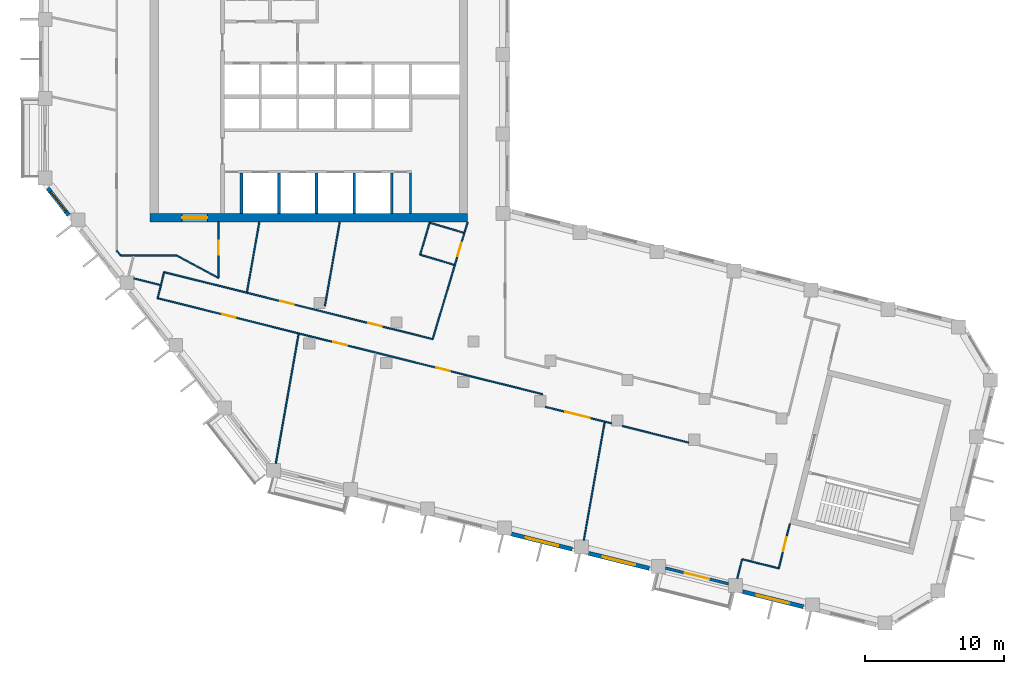
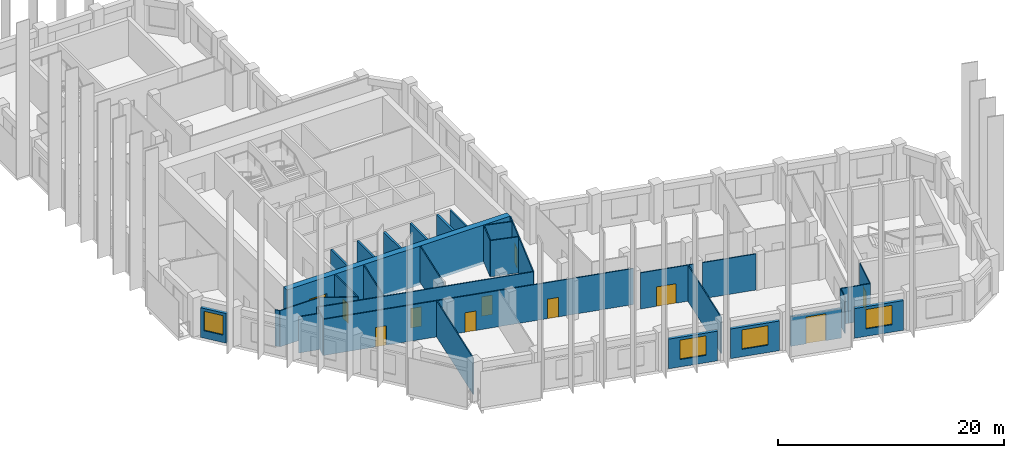
# One storey, part 3 of 9: 34 walls, 11 doors, 4 windows, 15 openings.
"""IFC4 building model written with IfcOpenShell, lengths in metres."""

from ifc_helpers import new_model, si_unit, direction, frame, frame_2d, origin, place, context, subcontext, project, spatial, rectangle, extrude, material, layer, layer_set, type_object, element, fill, save


model = new_model("IFC4")

# Units and contexts
model_context = context("Model", 3, precision=1e-05, world=origin(), true_north=direction((0.0, 1.0)))
body_context = subcontext(model_context, "Body", "Model", "MODEL_VIEW")
ifc_project = project(units=[si_unit("LENGTHUNIT", "METRE"), si_unit("AREAUNIT", "SQUARE_METRE"), si_unit("VOLUMEUNIT", "CUBIC_METRE"), si_unit("PLANEANGLEUNIT", "RADIAN"), si_unit("MASSUNIT", "GRAM", prefix="KILO")], contexts=[model_context])

# Site, building, storey
site_placement = place(None, origin())
site = spatial("IfcSite", under=ifc_project, at=site_placement, CompositionType="ELEMENT")
building_placement = place(site_placement, origin())
building = spatial("IfcBuilding", under=site, at=building_placement, Name="Meshkara Civic Tower", CompositionType="ELEMENT")
storey_placement = place(building_placement, frame((0.0, 0.0, 289.800048828125)))
storey = spatial("IfcBuildingStorey", under=building, at=storey_placement, Name="L66", CompositionType="ELEMENT", Elevation=289.800048828125)

# Wall
ifc_material_1 = material(Name="Blockwork", Category="masonry")
ifc_layer_1 = layer(ifc_material_1, 0.14990234375)
ifc_layer_set_1 = layer_set([ifc_layer_1], Name="Core partition 150")
wall_type_1 = type_object("IfcWallType", Name="Core partition 150", PredefinedType="PARTITIONING", material=ifc_layer_set_1)
wall_1_placement = place(storey_placement, frame((26.699951171875, 14.699951171875, 0.0), z_axis=(0.0, 0.0, 1.0), x_axis=(0.0, 1.0, 0.0)))
element("IfcWall", 1, at=wall_1_placement, inside=storey, type_object=wall_type_1, Name="L66-C024", PredefinedType="PARTITIONING", context=body_context, shape_type="SweptSolid", body=[
    extrude(rectangle(XDim=2.900146484375, YDim=0.14990234375, at=frame_2d((1.4501953125, 0.0))), origin(), (0.0, 0.0, 1.0), 3.89990234375),
])

# Wall, opening, door
ifc_material_2 = material(Name="Concrete C60", Category="concrete")
ifc_layer_2 = layer(ifc_material_2, 0.60009765625)
ifc_layer_set_2 = layer_set([ifc_layer_2], Name="Core ring wall 600 C60")
wall_type_2 = type_object("IfcWallType", Name="Core ring wall 600 C60", PredefinedType="SHEAR", material=ifc_layer_set_2)
wall_2_placement = place(storey_placement, frame((8.0, 14.39990234375, -0.300048828125), z_axis=(0.0, 0.0, 1.0), x_axis=(1.0, 0.0, 0.0)))
wall_2 = element("IfcWall", 2, at=wall_2_placement, inside=storey, type_object=wall_type_2, Name="L66-C001", PredefinedType="SHEAR", context=body_context, shape_type="SweptSolid", body=[
    extrude(rectangle(XDim=22.800048828125, YDim=0.60009765625, at=frame_2d((11.39990234375, 0.0))), origin(), (0.0, 0.0, 1.0), 4.199951171875),
])
opening_1_placement = place(wall_2_placement, frame((2.300048828125, 0.0, 0.300048828125)))
opening_1 = element("IfcOpeningElement", 3, at=opening_1_placement, cuts=wall_2, Name="Opening L66-K019", PredefinedType="OPENING", context=body_context, shape_type="SweptSolid", body=[
    extrude(rectangle(XDim=1.800048828125, YDim=2.10009765625, at=frame_2d((0.89990234375, 1.050048828125))), frame((0.0, 0.31005859375, 0.0), z_axis=(0.0, -1.0, 0.0), x_axis=(1.0, 0.0, 0.0)), (0.0, 0.0, 1.0), 0.6201171875),
])
ifc_material_3 = material(Name="Fire-rated door leaf in steel frame", Category="steel")
door_type_1 = type_object("IfcDoorType", Name="Core double door 1800 EI 60", OperationType="DOUBLE_DOOR_SINGLE_SWING", PredefinedType="DOOR", material=ifc_material_3)
door_1_placement = place(opening_1_placement, origin())
door_1 = element("IfcDoor", 4, at=door_1_placement, inside=storey, type_object=door_type_1, Name="L66-K019", OperationType="DOUBLE_DOOR_SINGLE_SWING", OverallHeight=2.10009765625, OverallWidth=1.800048828125, PredefinedType="DOOR", context=body_context, shape_type="SweptSolid", body=[
    extrude(rectangle(XDim=1.800048828125, YDim=2.10009765625, at=frame_2d((0.89990234375, 1.050048828125))), frame((0.0, 0.02490234375, 0.0), z_axis=(0.0, -1.0, 0.0), x_axis=(1.0, 0.0, 0.0)), (0.0, 0.0, 1.0), 0.050048828125),
])
fill(opening_1, door_1)

# Walls
ifc_material_4 = material(Name="Corridor wall 100")
ifc_layer_3 = layer(ifc_material_4, 0.10009765625)
ifc_layer_set_3 = layer_set([ifc_layer_3], Name="Corridor wall 100")
wall_type_3 = type_object("IfcWallType", Name="Corridor wall 100", PredefinedType="PARTITIONING", material=ifc_layer_set_3)
wall_3_placement = place(storey_placement, frame((5.60009765625, 12.04296875, 0.0), z_axis=(0.0, 0.0, 1.0), x_axis=(0.615415398102, -0.788202948344, 0.0)))
element("IfcWall", 5, at=wall_3_placement, inside=storey, type_object=wall_type_3, Name="L66-W004", PredefinedType="PARTITIONING", context=body_context, shape_type="SweptSolid", body=[
    extrude(rectangle(XDim=0.435302734375, YDim=0.10009765625, at=frame_2d((0.2177734375, 0.0))), origin(), (0.0, 0.0, 1.0), 3.89990234375),
])
wall_4_placement = place(storey_placement, frame((5.867919921875, 11.699951171875, 0.0), z_axis=(0.0, 0.0, 1.0), x_axis=(1.0, 0.0, 0.0)))
element("IfcWall", 6, at=wall_4_placement, inside=storey, type_object=wall_type_3, Name="L66-W006", PredefinedType="PARTITIONING", context=body_context, shape_type="SweptSolid", body=[
    extrude(rectangle(XDim=4.031982421875, YDim=0.10009765625, at=frame_2d((2.01611328125, 0.0))), origin(), (0.0, 0.0, 1.0), 3.89990234375),
])

# Wall, openings, doors
wall_5_placement = place(storey_placement, frame((8.534912109375, 8.6259765625, 0.0), z_axis=(0.0, 0.0, 1.0), x_axis=(0.970294986727, -0.241924861749, 0.0)))
wall_5 = element("IfcWall", 7, at=wall_5_placement, inside=storey, type_object=wall_type_3, Name="L66-W007", PredefinedType="PARTITIONING", context=body_context, shape_type="SweptSolid", body=[
    extrude(rectangle(XDim=28.500732421875, YDim=0.10009765625, at=frame_2d((14.25048828125, 0.0))), origin(), (0.0, 0.0, 1.0), 3.89990234375),
])
opening_2_placement = place(wall_5_placement, frame((13.02197265625, 0.0, 0.0)))
opening_2 = element("IfcOpeningElement", 8, at=opening_2_placement, cuts=wall_5, Name="Opening L66-D003", PredefinedType="OPENING", context=body_context, shape_type="SweptSolid", body=[
    extrude(rectangle(XDim=1.0, YDim=2.10009765625, at=frame_2d((0.5, 1.050048828125))), frame((0.0, 0.06005859375, 0.0), z_axis=(0.0, -1.0, 0.0), x_axis=(1.0, 0.0, 0.0)), (0.0, 0.0, 1.0), 0.1201171875),
])
opening_3_placement = place(wall_5_placement, frame((20.6220703125, 0.0, 0.0)))
opening_3 = element("IfcOpeningElement", 9, at=opening_3_placement, cuts=wall_5, Name="Opening L66-D004", PredefinedType="OPENING", context=body_context, shape_type="SweptSolid", body=[
    extrude(rectangle(XDim=1.0, YDim=2.10009765625, at=frame_2d((0.5, 1.050048828125))), frame((0.0, 0.06005859375, 0.0), z_axis=(0.0, -1.0, 0.0), x_axis=(1.0, 0.0, 0.0)), (0.0, 0.0, 1.0), 0.1201171875),
])
opening_4_placement = place(wall_5_placement, frame((4.780029296875, 0.0, 0.0)))
opening_4 = element("IfcOpeningElement", 10, at=opening_4_placement, cuts=wall_5, Name="Opening L66-D009", PredefinedType="OPENING", context=body_context, shape_type="SweptSolid", body=[
    extrude(rectangle(XDim=1.0, YDim=2.10009765625, at=frame_2d((0.5, 1.050048828125))), frame((0.0, 0.06005859375, 0.0), z_axis=(0.0, -1.0, 0.0), x_axis=(1.0, 0.0, 0.0)), (0.0, 0.0, 1.0), 0.1201171875),
])
ifc_material_5 = material(Name="Door 1000 x 2100")
door_type_2 = type_object("IfcDoorType", Name="Door 1000 x 2100", OperationType="SINGLE_SWING_LEFT", PredefinedType="DOOR", material=ifc_material_5)
door_2_placement = place(opening_2_placement, origin())
door_2 = element("IfcDoor", 11, at=door_2_placement, inside=storey, type_object=door_type_2, Name="L66-D003", OperationType="SINGLE_SWING_LEFT", OverallHeight=2.10009765625, OverallWidth=1.0, PredefinedType="DOOR", context=body_context, shape_type="SweptSolid", body=[
    extrude(rectangle(XDim=1.0, YDim=2.10009765625, at=frame_2d((0.5, 1.050048828125))), frame((0.0, 0.02490234375, 0.0), z_axis=(0.0, -1.0, 0.0), x_axis=(1.0, 0.0, 0.0)), (0.0, 0.0, 1.0), 0.050048828125),
])
fill(opening_2, door_2)
door_3_placement = place(opening_3_placement, origin())
door_3 = element("IfcDoor", 12, at=door_3_placement, inside=storey, type_object=door_type_2, Name="L66-D004", OperationType="SINGLE_SWING_RIGHT", OverallHeight=2.10009765625, OverallWidth=1.0, PredefinedType="DOOR", context=body_context, shape_type="SweptSolid", body=[
    extrude(rectangle(XDim=1.0, YDim=2.10009765625, at=frame_2d((0.5, 1.050048828125))), frame((0.0, 0.02490234375, 0.0), z_axis=(0.0, -1.0, 0.0), x_axis=(1.0, 0.0, 0.0)), (0.0, 0.0, 1.0), 0.050048828125),
])
fill(opening_3, door_3)
door_4_placement = place(opening_4_placement, origin())
door_4 = element("IfcDoor", 13, at=door_4_placement, inside=storey, type_object=door_type_2, Name="L66-D009", OperationType="SINGLE_SWING_LEFT", OverallHeight=2.10009765625, OverallWidth=1.0, PredefinedType="DOOR", context=body_context, shape_type="SweptSolid", body=[
    extrude(rectangle(XDim=1.0, YDim=2.10009765625, at=frame_2d((0.5, 1.050048828125))), frame((0.0, 0.02490234375, 0.0), z_axis=(0.0, -1.0, 0.0), x_axis=(1.0, 0.0, 0.0)), (0.0, 0.0, 1.0), 0.050048828125),
])
fill(opening_4, door_4)

wall_6_placement = place(storey_placement, frame((9.001953125, 10.4990234375, 0.0), z_axis=(0.0, 0.0, 1.0), x_axis=(0.970298340477, -0.241911410372, 0.0)))
wall_6 = element("IfcWall", 14, at=wall_6_placement, inside=storey, type_object=wall_type_3, Name="L66-W008", PredefinedType="PARTITIONING", context=body_context, shape_type="SweptSolid", body=[
    extrude(rectangle(XDim=19.879638671875, YDim=0.10009765625, at=frame_2d((9.93994140625, 0.0))), origin(), (0.0, 0.0, 1.0), 3.89990234375),
])
opening_5_placement = place(wall_6_placement, frame((8.596923828125, 0.0, 0.0)))
opening_5 = element("IfcOpeningElement", 15, at=opening_5_placement, cuts=wall_6, Name="Opening L66-D010", PredefinedType="OPENING", context=body_context, shape_type="SweptSolid", body=[
    extrude(rectangle(XDim=1.0, YDim=2.10009765625, at=frame_2d((0.5, 1.050048828125))), frame((0.0, 0.06005859375, 0.0), z_axis=(0.0, -1.0, 0.0), x_axis=(1.0, 0.0, 0.0)), (0.0, 0.0, 1.0), 0.1201171875),
])
opening_6_placement = place(wall_6_placement, frame((15.097900390625, 0.0, 0.0)))
opening_6 = element("IfcOpeningElement", 16, at=opening_6_placement, cuts=wall_6, Name="Opening L66-D011", PredefinedType="OPENING", context=body_context, shape_type="SweptSolid", body=[
    extrude(rectangle(XDim=1.0, YDim=2.10009765625, at=frame_2d((0.5, 1.050048828125))), frame((0.0, 0.06005859375, 0.0), z_axis=(0.0, -1.0, 0.0), x_axis=(1.0, 0.0, 0.0)), (0.0, 0.0, 1.0), 0.1201171875),
])
door_5_placement = place(opening_5_placement, origin())
door_5 = element("IfcDoor", 17, at=door_5_placement, inside=storey, type_object=door_type_2, Name="L66-D010", OperationType="SINGLE_SWING_RIGHT", OverallHeight=2.10009765625, OverallWidth=1.0, PredefinedType="DOOR", context=body_context, shape_type="SweptSolid", body=[
    extrude(rectangle(XDim=1.0, YDim=2.10009765625, at=frame_2d((0.5, 1.050048828125))), frame((0.0, 0.02490234375, 0.0), z_axis=(0.0, -1.0, 0.0), x_axis=(1.0, 0.0, 0.0)), (0.0, 0.0, 1.0), 0.050048828125),
])
fill(opening_5, door_5)
door_6_placement = place(opening_6_placement, origin())
door_6 = element("IfcDoor", 18, at=door_6_placement, inside=storey, type_object=door_type_2, Name="L66-D011", OperationType="SINGLE_SWING_LEFT", OverallHeight=2.10009765625, OverallWidth=1.0, PredefinedType="DOOR", context=body_context, shape_type="SweptSolid", body=[
    extrude(rectangle(XDim=1.0, YDim=2.10009765625, at=frame_2d((0.5, 1.050048828125))), frame((0.0, 0.02490234375, 0.0), z_axis=(0.0, -1.0, 0.0), x_axis=(1.0, 0.0, 0.0)), (0.0, 0.0, 1.0), 0.050048828125),
])
fill(opening_6, door_6)

# Walls
wall_7_placement = place(storey_placement, frame((9.001953125, 10.4990234375, 0.0), z_axis=(0.0, 0.0, 1.0), x_axis=(-0.241940418317, -0.970291107856, 0.0)))
element("IfcWall", 19, at=wall_7_placement, inside=storey, type_object=wall_type_3, Name="L66-W009", PredefinedType="PARTITIONING", context=body_context, shape_type="SweptSolid", body=[
    extrude(rectangle(XDim=1.930419921875, YDim=0.10009765625, at=frame_2d((0.96533203125, 0.0))), origin(), (0.0, 0.0, 1.0), 3.89990234375),
])
wall_8_placement = place(storey_placement, frame((9.89990234375, 11.699951171875, 0.0), z_axis=(0.0, 0.0, 1.0), x_axis=(0.87965147249, -0.475618846291, 0.0)))
element("IfcWall", 20, at=wall_8_placement, inside=storey, type_object=wall_type_3, Name="L66-W010", PredefinedType="PARTITIONING", context=body_context, shape_type="SweptSolid", body=[
    extrude(rectangle(XDim=3.410400390625, YDim=0.10009765625, at=frame_2d((1.705078125, 0.0))), origin(), (0.0, 0.0, 1.0), 3.89990234375),
])

# Wall, opening, door
wall_9_placement = place(storey_placement, frame((12.89990234375, 10.077880859375, 0.0), z_axis=(0.0, 0.0, 1.0), x_axis=(0.0, 1.0, 0.0)))
wall_9 = element("IfcWall", 21, at=wall_9_placement, inside=storey, type_object=wall_type_3, Name="L66-W015", PredefinedType="PARTITIONING", context=body_context, shape_type="SweptSolid", body=[
    extrude(rectangle(XDim=4.022216796875, YDim=0.10009765625, at=frame_2d((2.01123046875, 0.0))), origin(), (0.0, 0.0, 1.0), 3.89990234375),
])
opening_7_placement = place(wall_9_placement, frame((1.679931640625, 0.0, 0.0)))
opening_7 = element("IfcOpeningElement", 22, at=opening_7_placement, cuts=wall_9, Name="Opening L66-D014", PredefinedType="OPENING", context=body_context, shape_type="SweptSolid", body=[
    extrude(rectangle(XDim=1.0, YDim=2.10009765625, at=frame_2d((0.5, 1.050048828125))), frame((0.0, 0.06005859375, 0.0), z_axis=(0.0, -1.0, 0.0), x_axis=(1.0, 0.0, 0.0)), (0.0, 0.0, 1.0), 0.1201171875),
])
door_7_placement = place(opening_7_placement, origin())
door_7 = element("IfcDoor", 23, at=door_7_placement, inside=storey, type_object=door_type_2, Name="L66-D014", OperationType="SINGLE_SWING_LEFT", OverallHeight=2.10009765625, OverallWidth=1.0, PredefinedType="DOOR", context=body_context, shape_type="SweptSolid", body=[
    extrude(rectangle(XDim=1.0, YDim=2.10009765625, at=frame_2d((0.5, 1.050048828125))), frame((0.0, 0.02490234375, 0.0), z_axis=(0.0, -1.0, 0.0), x_axis=(1.0, 0.0, 0.0)), (0.0, 0.0, 1.0), 0.050048828125),
])
fill(opening_7, door_7)

wall_10_placement = place(storey_placement, frame((28.291015625, 5.68994140625, 0.0), z_axis=(0.0, 0.0, 1.0), x_axis=(0.28588265334, 0.958264633867, 0.0)))
wall_10 = element("IfcWall", 24, at=wall_10_placement, inside=storey, type_object=wall_type_3, Name="L66-W018", PredefinedType="PARTITIONING", context=body_context, shape_type="SweptSolid", body=[
    extrude(rectangle(XDim=8.7763671875, YDim=0.10009765625, at=frame_2d((4.38818359375, 0.0))), origin(), (0.0, 0.0, 1.0), 3.89990234375),
])
opening_8_placement = place(wall_10_placement, frame((6.22998046875, 0.0, 0.0)))
opening_8 = element("IfcOpeningElement", 25, at=opening_8_placement, cuts=wall_10, Name="Opening L66-D015", PredefinedType="OPENING", context=body_context, shape_type="SweptSolid", body=[
    extrude(rectangle(XDim=1.0, YDim=2.10009765625, at=frame_2d((0.5, 1.050048828125))), frame((0.0, 0.06005859375, 0.0), z_axis=(0.0, -1.0, 0.0), x_axis=(1.0, 0.0, 0.0)), (0.0, 0.0, 1.0), 0.1201171875),
])
door_8_placement = place(opening_8_placement, origin())
door_8 = element("IfcDoor", 26, at=door_8_placement, inside=storey, type_object=door_type_2, Name="L66-D015", OperationType="SINGLE_SWING_LEFT", OverallHeight=2.10009765625, OverallWidth=1.0, PredefinedType="DOOR", context=body_context, shape_type="SweptSolid", body=[
    extrude(rectangle(XDim=1.0, YDim=2.10009765625, at=frame_2d((0.5, 1.050048828125))), frame((0.0, 0.02490234375, 0.0), z_axis=(0.0, -1.0, 0.0), x_axis=(1.0, 0.0, 0.0)), (0.0, 0.0, 1.0), 0.050048828125),
])
fill(opening_8, door_8)

wall_11_placement = place(storey_placement, frame((36.3798828125, 0.822998046875, 0.0), z_axis=(0.0, 0.0, 1.0), x_axis=(0.970311839682, -0.241857259087, 0.0)))
wall_11 = element("IfcWall", 27, at=wall_11_placement, inside=storey, type_object=wall_type_3, Name="L66-W021", PredefinedType="PARTITIONING", context=body_context, shape_type="SweptSolid", body=[
    extrude(rectangle(XDim=4.911865234375, YDim=0.10009765625, at=frame_2d((2.4560546875, 0.0))), origin(), (0.0, 0.0, 1.0), 3.89990234375),
])
opening_9_placement = place(wall_11_placement, frame((1.47998046875, 0.0, 0.0)))
opening_9 = element("IfcOpeningElement", 28, at=opening_9_placement, cuts=wall_11, Name="Opening L66-D005", PredefinedType="OPENING", context=body_context, shape_type="SweptSolid", body=[
    extrude(rectangle(XDim=1.800048828125, YDim=2.10009765625, at=frame_2d((0.89990234375, 1.050048828125))), frame((0.0, 0.06005859375, 0.0), z_axis=(0.0, -1.0, 0.0), x_axis=(1.0, 0.0, 0.0)), (0.0, 0.0, 1.0), 0.1201171875),
])
ifc_material_6 = material(Name="Door pair 1800 x 2100")
door_type_3 = type_object("IfcDoorType", Name="Door pair 1800 x 2100", OperationType="SINGLE_SWING_LEFT", PredefinedType="DOOR", material=ifc_material_6)
door_9_placement = place(opening_9_placement, origin())
door_9 = element("IfcDoor", 29, at=door_9_placement, inside=storey, type_object=door_type_3, Name="L66-D005", OperationType="DOUBLE_DOOR_SINGLE_SWING", OverallHeight=2.10009765625, OverallWidth=1.800048828125, PredefinedType="DOOR", context=body_context, shape_type="SweptSolid", body=[
    extrude(rectangle(XDim=1.800048828125, YDim=2.10009765625, at=frame_2d((0.89990234375, 1.050048828125))), frame((0.0, 0.02490234375, 0.0), z_axis=(0.0, -1.0, 0.0), x_axis=(1.0, 0.0, 0.0)), (0.0, 0.0, 1.0), 0.050048828125),
])
fill(opening_9, door_9)

# Walls
wall_12_placement = place(storey_placement, frame((41.9130859375, -0.555908203125, 0.0), z_axis=(0.0, 0.0, 1.0), x_axis=(0.970285656006, -0.241962281665, 0.0)))
element("IfcWall", 30, at=wall_12_placement, inside=storey, type_object=wall_type_3, Name="L66-W023", PredefinedType="PARTITIONING", context=body_context, shape_type="SweptSolid", body=[
    extrude(rectangle(XDim=4.909912109375, YDim=0.10009765625, at=frame_2d((2.455078125, 0.0))), origin(), (0.0, 0.0, 1.0), 3.89990234375),
])
wall_13_placement = place(storey_placement, frame((51.200927734375, -10.2919921875, 0.0), z_axis=(0.0, 0.0, 1.0), x_axis=(0.970307382734, -0.241875139301, 0.0)))
element("IfcWall", 31, at=wall_13_placement, inside=storey, type_object=wall_type_3, Name="L66-W027", PredefinedType="PARTITIONING", context=body_context, shape_type="SweptSolid", body=[
    extrude(rectangle(XDim=2.00048828125, YDim=0.10009765625, at=frame_2d((1.000244140625, 0.0))), origin(), (0.0, 0.0, 1.0), 3.89990234375),
])

# Wall, opening, door
wall_14_placement = place(storey_placement, frame((53.14208984375, -10.77587890625, 0.0), z_axis=(0.0, 0.0, 1.0), x_axis=(0.241786986316, 0.970329352977, 0.0)))
wall_14 = element("IfcWall", 32, at=wall_14_placement, inside=storey, type_object=wall_type_3, Name="L66-W030", PredefinedType="PARTITIONING", context=body_context, shape_type="SweptSolid", body=[
    extrude(rectangle(XDim=3.2998046875, YDim=0.10009765625, at=frame_2d((1.64990234375, 0.0))), origin(), (0.0, 0.0, 1.0), 3.89990234375),
])
opening_10_placement = place(wall_14_placement, frame((1.280029296875, 0.0, 0.0)))
opening_10 = element("IfcOpeningElement", 33, at=opening_10_placement, cuts=wall_14, Name="Opening L66-D002", PredefinedType="OPENING", context=body_context, shape_type="SweptSolid", body=[
    extrude(rectangle(XDim=1.0, YDim=2.10009765625, at=frame_2d((0.5, 1.050048828125))), frame((0.0, 0.06005859375, 0.0), z_axis=(0.0, -1.0, 0.0), x_axis=(1.0, 0.0, 0.0)), (0.0, 0.0, 1.0), 0.1201171875),
])
door_10_placement = place(opening_10_placement, origin())
door_10 = element("IfcDoor", 34, at=door_10_placement, inside=storey, type_object=door_type_2, Name="L66-D002", OperationType="SINGLE_SWING_LEFT", OverallHeight=2.10009765625, OverallWidth=1.0, PredefinedType="DOOR", context=body_context, shape_type="SweptSolid", body=[
    extrude(rectangle(XDim=1.0, YDim=2.10009765625, at=frame_2d((0.5, 1.050048828125))), frame((0.0, 0.02490234375, 0.0), z_axis=(0.0, -1.0, 0.0), x_axis=(1.0, 0.0, 0.0)), (0.0, 0.0, 1.0), 0.050048828125),
])
fill(opening_10, door_10)

# Wall, opening, window
ifc_material_7 = material(Name="Insulated infill panel with bronze anodised aluminium cladding", Category="aluminium")
ifc_layer_4 = layer(ifc_material_7, 0.300048828125)
ifc_layer_set_4 = layer_set([ifc_layer_4], Name="EXTERNAL INFILL WALL 300")
wall_type_4 = type_object("IfcWallType", Name="EXTERNAL INFILL WALL 300", PredefinedType="SOLIDWALL", material=ifc_layer_set_4)
wall_15_placement = place(storey_placement, frame((0.64599609375, 16.51708984375, 0.0), z_axis=(0.0, 0.0, 1.0), x_axis=(0.615610986717, -0.788050197026, 0.0)))
wall_15 = element("IfcWall", 35, at=wall_15_placement, inside=storey, type_object=wall_type_4, Name="External wall", PredefinedType="SOLIDWALL", context=body_context, shape_type="SweptSolid", body=[
    extrude(rectangle(XDim=2.4365234375, YDim=0.300048828125, at=frame_2d((1.21826171875, 0.0))), origin(), (0.0, 0.0, 1.0), 3.199951171875),
])
opening_11_placement = place(wall_15_placement, frame((0.318115234375, 0.0, 0.800048828125)))
opening_11 = element("IfcOpeningElement", 36, at=opening_11_placement, cuts=wall_15, Name="Opening W9", PredefinedType="OPENING", context=body_context, shape_type="SweptSolid", body=[
    extrude(rectangle(XDim=1.800048828125, YDim=2.10009765625, at=frame_2d((0.89990234375, 1.050048828125))), frame((0.0, 0.159912109375, 0.0), z_axis=(0.0, -1.0, 0.0), x_axis=(1.0, 0.0, 0.0)), (0.0, 0.0, 1.0), 0.320068359375),
])
ifc_material_8 = material(Name="Tinted double glazing", Category="glass")
window_type_1 = type_object("IfcWindowType", Name="WINDOW 1800x2100", PartitioningType="DOUBLE_PANEL_VERTICAL", PredefinedType="WINDOW", material=ifc_material_8)
window_1_placement = place(opening_11_placement, origin())
window_1 = element("IfcWindow", 37, at=window_1_placement, inside=storey, type_object=window_type_1, Name="Window", OverallHeight=2.10009765625, OverallWidth=1.800048828125, PartitioningType="DOUBLE_PANEL_VERTICAL", PredefinedType="WINDOW", context=body_context, shape_type="SweptSolid", body=[
    extrude(rectangle(XDim=1.800048828125, YDim=2.10009765625, at=frame_2d((0.89990234375, 1.050048828125))), frame((0.0, 0.030029296875, 0.0), z_axis=(0.0, -1.0, 0.0), x_axis=(1.0, 0.0, 0.0)), (0.0, 0.0, 1.0), 0.06005859375),
])
fill(opening_11, window_1)

wall_16_placement = place(storey_placement, frame((33.958984375, -8.31201171875, 0.0), z_axis=(0.0, 0.0, 1.0), x_axis=(0.970276766004, -0.241997928406, 0.0)))
wall_16 = element("IfcWall", 38, at=wall_16_placement, inside=storey, type_object=wall_type_4, Name="External wall", PredefinedType="SOLIDWALL", context=body_context, shape_type="SweptSolid", body=[
    extrude(rectangle(XDim=4.4873046875, YDim=0.300048828125, at=frame_2d((2.24365234375, 0.0))), origin(), (0.0, 0.0, 1.0), 3.199951171875),
])
opening_12_placement = place(wall_16_placement, frame((1.0439453125, 0.0, 0.800048828125)))
opening_12 = element("IfcOpeningElement", 39, at=opening_12_placement, cuts=wall_16, Name="Opening W7", PredefinedType="OPENING", context=body_context, shape_type="SweptSolid", body=[
    extrude(rectangle(XDim=2.39990234375, YDim=2.10009765625, at=frame_2d((1.199951171875, 1.050048828125))), frame((0.0, 0.159912109375, 0.0), z_axis=(0.0, -1.0, 0.0), x_axis=(1.0, 0.0, 0.0)), (0.0, 0.0, 1.0), 0.320068359375),
])
ifc_material_9 = material(Name="Tinted double glazing", Category="glass")
window_type_2 = type_object("IfcWindowType", Name="WINDOW 2400x2100", PartitioningType="DOUBLE_PANEL_VERTICAL", PredefinedType="WINDOW", material=ifc_material_9)
window_2_placement = place(opening_12_placement, origin())
window_2 = element("IfcWindow", 40, at=window_2_placement, inside=storey, type_object=window_type_2, Name="Window", OverallHeight=2.10009765625, OverallWidth=2.39990234375, PartitioningType="DOUBLE_PANEL_VERTICAL", PredefinedType="WINDOW", context=body_context, shape_type="SweptSolid", body=[
    extrude(rectangle(XDim=2.39990234375, YDim=2.10009765625, at=frame_2d((1.199951171875, 1.050048828125))), frame((0.0, 0.030029296875, 0.0), z_axis=(0.0, -1.0, 0.0), x_axis=(1.0, 0.0, 0.0)), (0.0, 0.0, 1.0), 0.06005859375),
])
fill(opening_12, window_2)

wall_17_placement = place(storey_placement, frame((39.489990234375, -9.69189453125, 0.0), z_axis=(0.0, 0.0, 1.0), x_axis=(0.970302346682, -0.241895341054, 0.0)))
wall_17 = element("IfcWall", 41, at=wall_17_placement, inside=storey, type_object=wall_type_4, Name="External wall", PredefinedType="SOLIDWALL", context=body_context, shape_type="SweptSolid", body=[
    extrude(rectangle(XDim=4.486328125, YDim=0.300048828125, at=frame_2d((2.2431640625, 0.0))), origin(), (0.0, 0.0, 1.0), 3.199951171875),
])
opening_13_placement = place(wall_17_placement, frame((1.0439453125, 0.0, 0.800048828125)))
opening_13 = element("IfcOpeningElement", 42, at=opening_13_placement, cuts=wall_17, Name="Opening W7", PredefinedType="OPENING", context=body_context, shape_type="SweptSolid", body=[
    extrude(rectangle(XDim=2.39990234375, YDim=2.10009765625, at=frame_2d((1.199951171875, 1.050048828125))), frame((0.0, 0.159912109375, 0.0), z_axis=(0.0, -1.0, 0.0), x_axis=(1.0, 0.0, 0.0)), (0.0, 0.0, 1.0), 0.320068359375),
])
window_3_placement = place(opening_13_placement, origin())
window_3 = element("IfcWindow", 43, at=window_3_placement, inside=storey, type_object=window_type_2, Name="Window", OverallHeight=2.10009765625, OverallWidth=2.39990234375, PartitioningType="DOUBLE_PANEL_VERTICAL", PredefinedType="WINDOW", context=body_context, shape_type="SweptSolid", body=[
    extrude(rectangle(XDim=2.39990234375, YDim=2.10009765625, at=frame_2d((1.199951171875, 1.050048828125))), frame((0.0, 0.030029296875, 0.0), z_axis=(0.0, -1.0, 0.0), x_axis=(1.0, 0.0, 0.0)), (0.0, 0.0, 1.0), 0.06005859375),
])
fill(opening_13, window_3)

wall_18_placement = place(storey_placement, frame((50.551025390625, -12.448974609375, 0.0), z_axis=(0.0, 0.0, 1.0), x_axis=(0.970276766004, -0.241997928406, 0.0)))
wall_18 = element("IfcWall", 44, at=wall_18_placement, inside=storey, type_object=wall_type_4, Name="External wall", PredefinedType="SOLIDWALL", context=body_context, shape_type="SweptSolid", body=[
    extrude(rectangle(XDim=4.4873046875, YDim=0.300048828125, at=frame_2d((2.24365234375, 0.0))), origin(), (0.0, 0.0, 1.0), 3.199951171875),
])
opening_14_placement = place(wall_18_placement, frame((1.0439453125, 0.0, 0.800048828125)))
opening_14 = element("IfcOpeningElement", 45, at=opening_14_placement, cuts=wall_18, Name="Opening W7", PredefinedType="OPENING", context=body_context, shape_type="SweptSolid", body=[
    extrude(rectangle(XDim=2.39990234375, YDim=2.10009765625, at=frame_2d((1.199951171875, 1.050048828125))), frame((0.0, 0.159912109375, 0.0), z_axis=(0.0, -1.0, 0.0), x_axis=(1.0, 0.0, 0.0)), (0.0, 0.0, 1.0), 0.320068359375),
])
window_4_placement = place(opening_14_placement, origin())
window_4 = element("IfcWindow", 46, at=window_4_placement, inside=storey, type_object=window_type_2, Name="Window", OverallHeight=2.10009765625, OverallWidth=2.39990234375, PartitioningType="DOUBLE_PANEL_VERTICAL", PredefinedType="WINDOW", context=body_context, shape_type="SweptSolid", body=[
    extrude(rectangle(XDim=2.39990234375, YDim=2.10009765625, at=frame_2d((1.199951171875, 1.050048828125))), frame((0.0, 0.030029296875, 0.0), z_axis=(0.0, -1.0, 0.0), x_axis=(1.0, 0.0, 0.0)), (0.0, 0.0, 1.0), 0.06005859375),
])
fill(opening_14, window_4)

# Wall, opening, door
ifc_material_10 = material(Name="Insulated infill panel with bronze anodised aluminium cladding", Category="aluminium")
ifc_layer_5 = layer(ifc_material_10, 0.199951171875)
ifc_layer_set_5 = layer_set([ifc_layer_5], Name="LOGGIA BACK WALL 200")
wall_type_5 = type_object("IfcWallType", Name="LOGGIA BACK WALL 200", PredefinedType="SOLIDWALL", material=ifc_layer_set_5)
wall_19_placement = place(storey_placement, frame((45.00390625, -10.757080078125, 0.0), z_axis=(0.0, 0.0, 1.0), x_axis=(0.970286870015, -0.241957413354, 0.0)))
wall_19 = element("IfcWall", 47, at=wall_19_placement, inside=storey, type_object=wall_type_5, Name="Loggia wall", PredefinedType="SOLIDWALL", context=body_context, shape_type="SweptSolid", body=[
    extrude(rectangle(XDim=4.669677734375, YDim=0.199951171875, at=frame_2d((2.3349609375, 0.0))), origin(), (0.0, 0.0, 1.0), 3.199951171875),
])
opening_15_placement = place(wall_19_placement, frame((1.43408203125, 0.0, 0.0)))
opening_15 = element("IfcOpeningElement", 48, at=opening_15_placement, cuts=wall_19, Name="Opening L66-L005", PredefinedType="OPENING", context=body_context, shape_type="SweptSolid", body=[
    extrude(rectangle(XDim=1.800048828125, YDim=2.89990234375, at=frame_2d((0.89990234375, 1.449951171875))), frame((0.0, 0.10986328125, 0.0), z_axis=(0.0, -1.0, 0.0), x_axis=(1.0, 0.0, 0.0)), (0.0, 0.0, 1.0), 0.219970703125),
])
ifc_material_11 = material(Name="Tinted double glazing", Category="glass")
door_type_4 = type_object("IfcDoorType", Name="LOGGIA DOOR 1800x2900", OperationType="DOUBLE_DOOR_SINGLE_SWING", PredefinedType="DOOR", material=ifc_material_11)
door_11_placement = place(opening_15_placement, origin())
door_11 = element("IfcDoor", 49, at=door_11_placement, inside=storey, type_object=door_type_4, Name="L66-L005", OperationType="DOUBLE_DOOR_SINGLE_SWING", OverallHeight=2.89990234375, OverallWidth=1.800048828125, PredefinedType="DOOR", context=body_context, shape_type="SweptSolid", body=[
    extrude(rectangle(XDim=1.800048828125, YDim=2.89990234375, at=frame_2d((0.89990234375, 1.449951171875))), frame((0.0, 0.02490234375, 0.0), z_axis=(0.0, -1.0, 0.0), x_axis=(1.0, 0.0, 0.0)), (0.0, 0.0, 1.0), 0.050048828125),
])
fill(opening_15, door_11)

# Walls
ifc_material_12 = material(Name="Partition 100")
ifc_layer_6 = layer(ifc_material_12, 0.10009765625)
ifc_layer_set_6 = layer_set([ifc_layer_6], Name="Partition 100")
wall_type_6 = type_object("IfcWallType", Name="Partition 100", PredefinedType="PARTITIONING", material=ifc_layer_set_6)
wall_20_placement = place(storey_placement, frame((8.719970703125, 9.574951171875, 0.0), z_axis=(0.0, 0.0, 1.0), x_axis=(-0.970274576003, 0.242006708918, 0.0)))
element("IfcWall", 50, at=wall_20_placement, inside=storey, type_object=wall_type_6, Name="L66-W040", PredefinedType="PARTITIONING", context=body_context, shape_type="SweptSolid", body=[
    extrude(rectangle(XDim=1.955078125, YDim=0.10009765625, at=frame_2d((0.9775390625, 0.0))), origin(), (0.0, 0.0, 1.0), 3.89990234375),
])
wall_21_placement = place(storey_placement, frame((14.950927734375, 9.071044921875, 0.0), z_axis=(0.0, 0.0, 1.0), x_axis=(0.173687149785, 0.984800880381, 0.0)))
element("IfcWall", 51, at=wall_21_placement, inside=storey, type_object=wall_type_6, Name="L66-W041", PredefinedType="PARTITIONING", context=body_context, shape_type="SweptSolid", body=[
    extrude(rectangle(XDim=5.106689453125, YDim=0.10009765625, at=frame_2d((2.55322265625, 0.0))), origin(), (0.0, 0.0, 1.0), 3.89990234375),
])
wall_22_placement = place(storey_placement, frame((17.02099609375, -3.238037109375, 0.0), z_axis=(0.0, 0.0, 1.0), x_axis=(0.173621363154, 0.984812480758, 0.0)))
element("IfcWall", 52, at=wall_22_placement, inside=storey, type_object=wall_type_6, Name="L66-W042", PredefinedType="PARTITIONING", context=body_context, shape_type="SweptSolid", body=[
    extrude(rectangle(XDim=9.428466796875, YDim=0.10009765625, at=frame_2d((4.71435546875, 0.0))), origin(), (0.0, 0.0, 1.0), 3.89990234375),
])
wall_23_placement = place(storey_placement, frame((20.549072265625, 8.070068359375, 0.0), z_axis=(0.0, 0.0, 1.0), x_axis=(0.173605636367, 0.984815253244, 0.0)))
element("IfcWall", 53, at=wall_23_placement, inside=storey, type_object=wall_type_6, Name="L66-W044", PredefinedType="PARTITIONING", context=body_context, shape_type="SweptSolid", body=[
    extrude(rectangle(XDim=6.123046875, YDim=0.10009765625, at=frame_2d((3.0615234375, 0.0))), origin(), (0.0, 0.0, 1.0), 3.89990234375),
])
wall_24_placement = place(storey_placement, frame((27.385986328125, 11.751953125, 0.0), z_axis=(0.0, 0.0, 1.0), x_axis=(0.285826425332, 0.958281406781, 0.0)))
element("IfcWall", 54, at=wall_24_placement, inside=storey, type_object=wall_type_6, Name="L66-W047", PredefinedType="PARTITIONING", context=body_context, shape_type="SweptSolid", body=[
    extrude(rectangle(XDim=2.400146484375, YDim=0.10009765625, at=frame_2d((1.2001953125, 0.0))), origin(), (0.0, 0.0, 1.0), 3.89990234375),
])
for number, where, z_axis, x_axis, name in (
    (55, (28.072021484375, 14.052001953125, 0.0), (0.0, 0.0, 1.0), (0.95828086131, -0.285828254108, 0.0), "L66-W048"),
    (56, (29.830078125, 11.02294921875, 0.0), (0.0, 0.0, 1.0), (-0.95828086131, 0.285828254108, 0.0), "L66-W049"),
):
    element("IfcWall", number, at=place(storey_placement, frame(where, z_axis=z_axis, x_axis=x_axis)), inside=storey, type_object=wall_type_6, Name=name, PredefinedType="PARTITIONING", context=body_context, shape_type="SweptSolid", body=[
        extrude(rectangle(XDim=2.550537109375, YDim=0.10009765625, at=frame_2d((1.275390625, 0.0))), origin(), (0.0, 0.0, 1.0), 3.89990234375),
    ])
wall_25_placement = place(storey_placement, frame((39.14404296875, -8.75390625, 0.0), z_axis=(0.0, 0.0, 1.0), x_axis=(0.173654024649, 0.984806722014, 0.0)))
element("IfcWall", 57, at=wall_25_placement, inside=storey, type_object=wall_type_6, Name="L66-W050", PredefinedType="PARTITIONING", context=body_context, shape_type="SweptSolid", body=[
    extrude(rectangle(XDim=8.591552734375, YDim=0.10009765625, at=frame_2d((4.2958984375, 0.0))), origin(), (0.0, 0.0, 1.0), 3.89990234375),
])
wall_26_placement = place(storey_placement, frame((50.159912109375, -11.511962890625, 0.0), z_axis=(0.0, 0.0, 1.0), x_axis=(0.241815333826, 0.970322288895, 0.0)))
element("IfcWall", 58, at=wall_26_placement, inside=storey, type_object=wall_type_6, Name="L66-W052", PredefinedType="PARTITIONING", context=body_context, shape_type="SweptSolid", body=[
    extrude(rectangle(XDim=1.435791015625, YDim=0.10009765625, at=frame_2d((0.7177734375, 0.0))), origin(), (0.0, 0.0, 1.0), 3.89990234375),
])
wall_27_placement = place(storey_placement, frame((50.507080078125, -10.118896484375, 0.0), z_axis=(0.0, 0.0, 1.0), x_axis=(0.970282083048, -0.241976609029, 0.0)))
element("IfcWall", 59, at=wall_27_placement, inside=storey, type_object=wall_type_6, Name="L66-W053", PredefinedType="PARTITIONING", context=body_context, shape_type="SweptSolid", body=[
    extrude(rectangle(XDim=0.719482421875, YDim=0.10009765625, at=frame_2d((0.35986328125, 0.0))), origin(), (0.0, 0.0, 1.0), 3.89990234375),
])
ifc_material_13 = material(Name="Concrete C40/50", Category="concrete")
ifc_layer_7 = layer(ifc_material_13, 0.199951171875)
ifc_layer_set_7 = layer_set([ifc_layer_7], Name="Shaft wall 200 C40/50")
wall_type_7 = type_object("IfcWallType", Name="Shaft wall 200 C40/50", PredefinedType="SOLIDWALL", material=ifc_layer_set_7)
for number, where, z_axis, x_axis, name in (
    (60, (14.550048828125, 14.699951171875, 0.0), (0.0, 0.0, 1.0), (0.0, 1.0, 0.0), "L66-C012"),
    (61, (17.25, 14.699951171875, 0.0), (0.0, 0.0, 1.0), (0.0, 1.0, 0.0), "L66-C015"),
    (62, (19.949951171875, 14.699951171875, 0.0), (0.0, 0.0, 1.0), (0.0, 1.0, 0.0), "L66-C017"),
    (63, (22.64990234375, 14.699951171875, 0.0), (0.0, 0.0, 1.0), (0.0, 1.0, 0.0), "L66-C021"),
    (64, (25.35009765625, 14.699951171875, 0.0), (0.0, 0.0, 1.0), (0.0, 1.0, 0.0), "L66-C023"),
):
    element("IfcWall", number, at=place(storey_placement, frame(where, z_axis=z_axis, x_axis=x_axis)), inside=storey, type_object=wall_type_7, Name=name, PredefinedType="SOLIDWALL", context=body_context, shape_type="SweptSolid", body=[
        extrude(rectangle(XDim=2.900146484375, YDim=0.199951171875, at=frame_2d((1.4501953125, 0.0))), origin(), (0.0, 0.0, 1.0), 3.89990234375),
    ])

save(model, "model.ifc")
